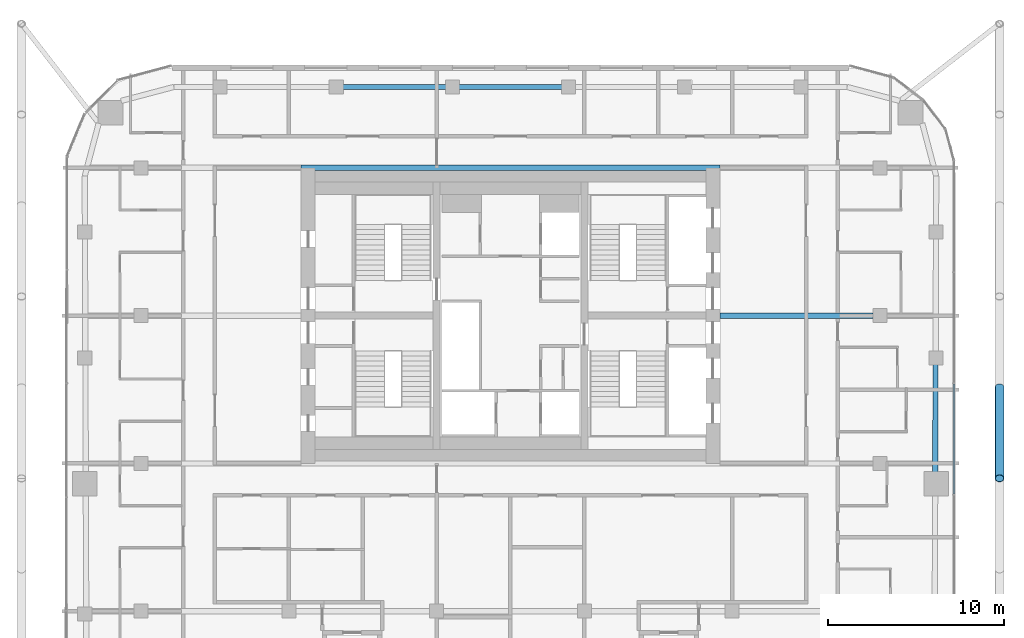
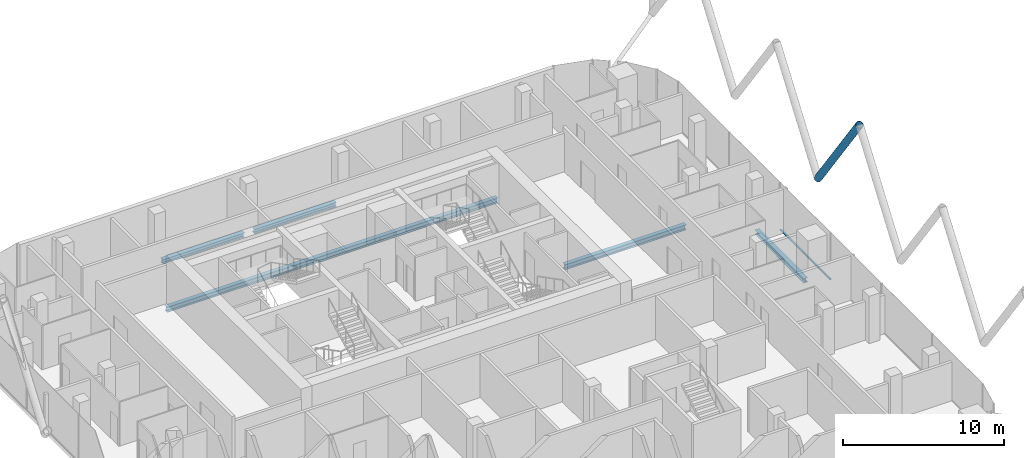
# One storey, part 9 of 28: 5 beams, 2 members, 1 element without a shape of its own.
"""IFC4 building model written with IfcOpenShell, lengths in metres."""

from ifc_helpers import new_model, si_unit, direction, frame, origin, origin_2d, place, context, subcontext, project, spatial, rectangle, hollow_circle, i_section, extrude, material, layer, layer_set, material_profile, profile_set, type_object, element, aggregate, save


model = new_model("IFC4")

# Units and contexts
model_context = context("Model", 3, precision=1e-05, world=origin(), true_north=direction((0.0, 1.0)))
body_context = subcontext(model_context, "Body", "Model", "MODEL_VIEW")
ifc_project = project(units=[si_unit("LENGTHUNIT", "METRE"), si_unit("AREAUNIT", "SQUARE_METRE"), si_unit("VOLUMEUNIT", "CUBIC_METRE"), si_unit("PLANEANGLEUNIT", "RADIAN"), si_unit("MASSUNIT", "GRAM", prefix="KILO")], contexts=[model_context])

# Site, building, storey
site_placement = place(None, origin())
site = spatial("IfcSite", under=ifc_project, at=site_placement, CompositionType="ELEMENT")
building_placement = place(site_placement, origin())
building = spatial("IfcBuilding", under=site, at=building_placement, Name="Marenta Gate Hotel Tower", CompositionType="ELEMENT")
storey_placement = place(building_placement, frame((0.0, 0.0, 241.699951171875)))
storey = spatial("IfcBuildingStorey", under=building, at=storey_placement, Name="L57", CompositionType="ELEMENT", Elevation=241.699951171875)

# Member
ifc_material_1 = material(Name="Steel S355J2W", Category="steel")
ifc_material_profile_1 = material_profile(ifc_material_1, hollow_circle(Radius=0.25390625, WallThickness=0.02490234375, at=origin_2d()), Name="CHS 508x25")
ifc_profile_set_1 = profile_set([ifc_material_profile_1], Name="Steel S355J2W")
member_type_1 = type_object("IfcMemberType", Name="Diagrid diagonal Z3 CHS 508x25", PredefinedType="BRACE", material=ifc_profile_set_1)
member_1_placement = place(storey_placement, frame((27.800048828125, 4.31982421875, 3.14013671875), z_axis=(0.0, -0.583260841117, 0.812284919975), x_axis=(1.0, 0.0, 0.0)))
element("IfcMember", 1, at=member_1_placement, inside=storey, type_object=member_type_1, Name="L57-DG-5", PredefinedType="BRACE", context=body_context, shape_type="SweptSolid", body=[
    extrude(hollow_circle(Radius=0.25390625, WallThickness=0.02490234375, at=origin_2d()), origin(), (0.0, 0.0, 1.0), 8.86376953125),
])

# Beams
ifc_material_2 = material(Name="Steel S355", Category="steel")
ifc_material_profile_2 = material_profile(ifc_material_2, i_section(OverallWidth=0.300048828125, OverallDepth=0.340087890625, WebThickness=0.011962890625, FlangeThickness=0.021484375, FilletRadius=0.027099609375, at=origin_2d()), Name="HEB 340")
ifc_profile_set_2 = profile_set([ifc_material_profile_2], Name="Steel S355")
beam_type_1 = type_object("IfcBeamType", Name="Edge beam HEB 340", PredefinedType="SPANDREL", material=ifc_profile_set_2)
for number, where, z_axis, x_axis, name in (
    (2, (-9.544189453125, 21.39990234375, -0.429931640625), (1.0, 0.0, 0.0), (0.0, 1.0, 0.0), "L57-EB-15"),
    (3, (-2.94140625, 21.39990234375, -0.429931640625), (1.0, 0.0, 0.0), (0.0, 1.0, 0.0), "L57-EB-16"),
):
    element("IfcBeam", number, at=place(storey_placement, frame(where, z_axis=z_axis, x_axis=x_axis)), inside=storey, type_object=beam_type_1, Name=name, PredefinedType="SPANDREL", context=body_context, shape_type="SweptSolid", body=[
        extrude(i_section(OverallWidth=0.300048828125, OverallDepth=0.340087890625, WebThickness=0.011962890625, FlangeThickness=0.021484375, FilletRadius=0.027099609375, at=origin_2d()), origin(), (0.0, 0.0, 1.0), 5.8828125),
    ])
beam_1_placement = place(storey_placement, frame((24.164306640625, 5.643310546875, -0.429931640625), z_axis=(-0.003303859048, -0.999994542243, 0.0), x_axis=(0.999994542243, -0.003303859048, 0.0)))
element("IfcBeam", 4, at=beam_1_placement, inside=storey, type_object=beam_type_1, Name="L57-EB-24", PredefinedType="SPANDREL", context=body_context, shape_type="SweptSolid", body=[
    extrude(i_section(OverallWidth=0.300048828125, OverallDepth=0.340087890625, WebThickness=0.011962890625, FlangeThickness=0.021484375, FilletRadius=0.027099609375, at=origin_2d()), origin(), (0.0, 0.0, 1.0), 6.13330078125),
])
ifc_material_3 = material(Name="Steel S355", Category="steel")
ifc_material_profile_3 = material_profile(ifc_material_3, i_section(OverallWidth=0.300048828125, OverallDepth=0.39990234375, WebThickness=0.013427734375, FlangeThickness=0.02392578125, FilletRadius=0.027099609375, at=origin_2d()), Name="HEB 400")
ifc_profile_set_3 = profile_set([ifc_material_profile_3], Name="Steel S355")
beam_type_2 = type_object("IfcBeamType", Name="Girder HEB 400", PredefinedType="BEAM", material=ifc_profile_set_3)
beam_2_placement = place(storey_placement, frame((11.89990234375, 8.39990234375, -0.4599609375), z_axis=(1.0, 0.0, 0.0), x_axis=(0.0, 1.0, 0.0)))
element("IfcBeam", 5, at=beam_2_placement, inside=storey, type_object=beam_type_2, Name="L57-GD-27", PredefinedType="BEAM", context=body_context, shape_type="SweptSolid", body=[
    extrude(i_section(OverallWidth=0.300048828125, OverallDepth=0.39990234375, WebThickness=0.013427734375, FlangeThickness=0.02392578125, FilletRadius=0.027099609375, at=origin_2d()), origin(), (0.0, 0.0, 1.0), 8.7001953125),
])
beam_3_placement = place(storey_placement, frame((-11.89990234375, 16.800048828125, -0.4599609375), z_axis=(1.0, 0.0, 0.0), x_axis=(0.0, 1.0, 0.0)))
element("IfcBeam", 6, at=beam_3_placement, inside=storey, type_object=beam_type_2, Name="L57-GD-31", PredefinedType="BEAM", context=body_context, shape_type="SweptSolid", body=[
    extrude(i_section(OverallWidth=0.300048828125, OverallDepth=0.39990234375, WebThickness=0.013427734375, FlangeThickness=0.02392578125, FilletRadius=0.027099609375, at=origin_2d()), origin(), (0.0, 0.0, 1.0), 23.7998046875),
])

# Curtain wall, member
ifc_material_4 = material(Name="Tinted insulated glass in bronze anodised frame", Category="glass")
ifc_layer = layer(ifc_material_4, 0.1201171875)
ifc_layer_set = layer_set([ifc_layer], Name="Tinted insulated glass in bronze anodised frame")
curtain_wall_type = type_object("IfcCurtainWallType", Name="Tower unitised curtain wall CW1", PredefinedType="NOTDEFINED", material=ifc_layer_set)
curtain_wall_placement = place(storey_placement, origin())
curtain_wall = element("IfcCurtainWall", 7, at=curtain_wall_placement, inside=storey, type_object=curtain_wall_type, Name="CW1 run G19", PredefinedType="NOTDEFINED")
ifc_material_5 = material(Name="Bronze anodised aluminium", Category="aluminium")
ifc_material_profile_4 = material_profile(ifc_material_5, rectangle(XDim=0.1201171875, YDim=0.06005859375, at=origin_2d()), Name="Transom CW1 60x120 bronze anodised aluminium")
ifc_profile_set_4 = profile_set([ifc_material_profile_4], Name="Bronze anodised aluminium")
member_type_2 = type_object("IfcMemberType", Name="Transom CW1 60x120 bronze anodised aluminium", PredefinedType="USERDEFINED", material=ifc_profile_set_4)
member_2_placement = place(storey_placement, frame((25.214111328125, -1.74609375, 0.030029296875), z_axis=(0.0, 1.0, 0.0), x_axis=(-1.0, 0.0, 0.0)))
member_2 = element("IfcMember", 8, at=member_2_placement, type_object=member_type_2, Name="CW1 transom 4.1", ObjectType="TRANSOM", PredefinedType="USERDEFINED", context=body_context, shape_type="SweptSolid", body=[
    extrude(rectangle(XDim=0.1201171875, YDim=0.06005859375, at=origin_2d()), origin(), (0.0, 0.0, 1.0), 6.2626953125),
])
aggregate(curtain_wall, [member_2])

save(model, "model.ifc")
